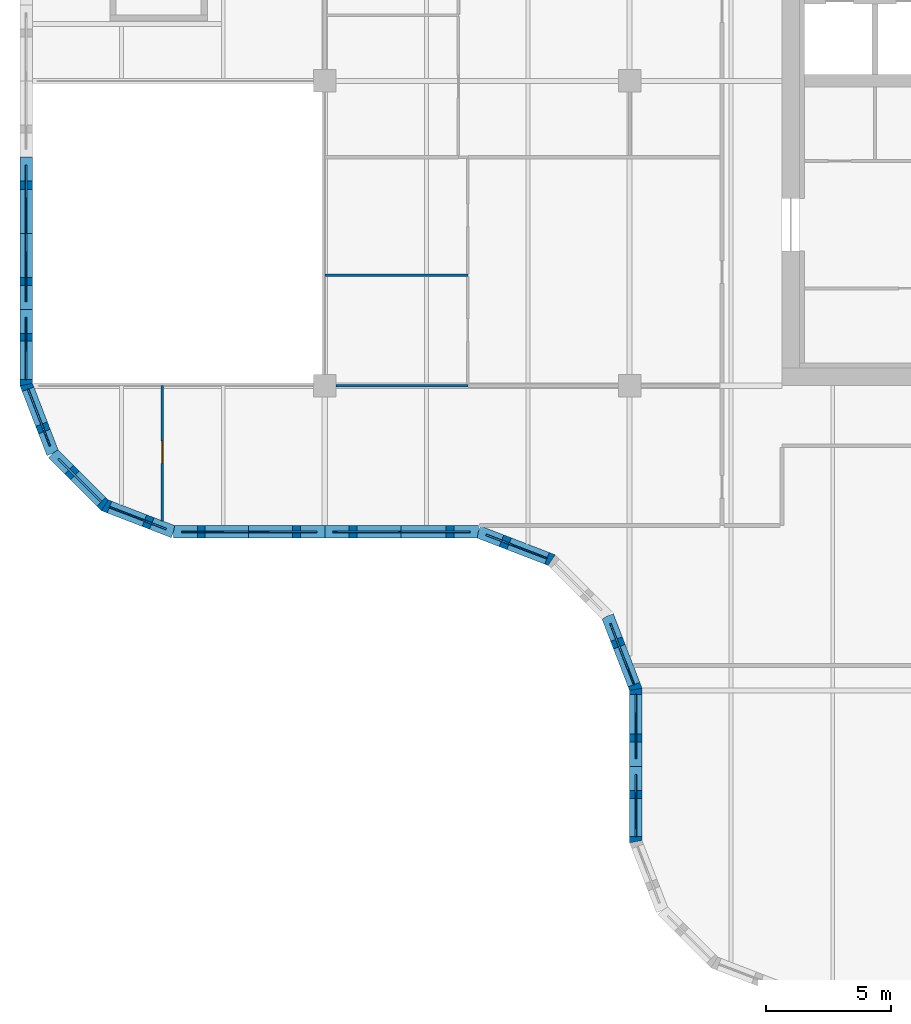
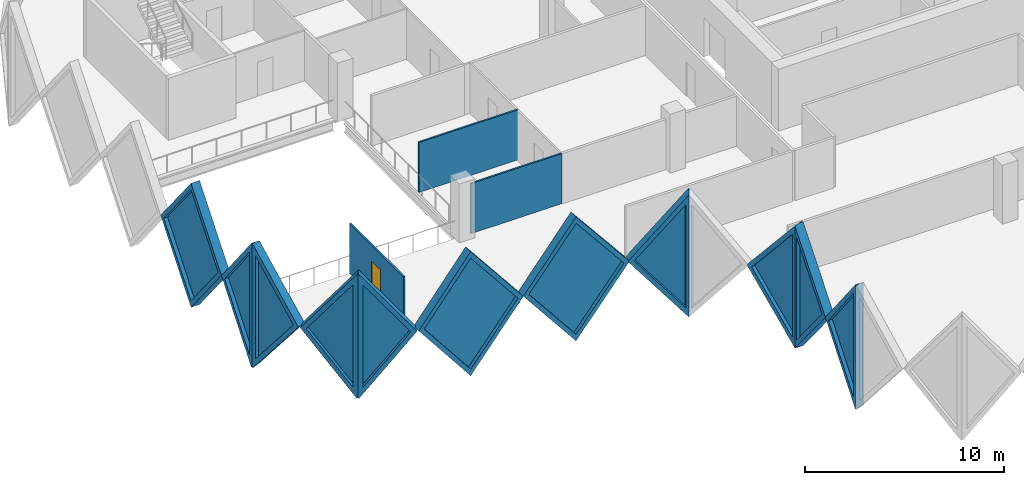
# One storey, part 3 of 13: 14 walls, 11 plates, 1 door, 12 openings.
"""IFC4 building model written with IfcOpenShell, lengths in metres."""

from ifc_helpers import new_model, si_unit, direction, frame, frame_2d, origin, place, context, subcontext, project, spatial, polyline, rectangle, outline, extrude, faceted_brep, source, transform, mapped, material, layer, layer_set, type_object, element, fill, save


model = new_model("IFC4")

# Units and contexts
model_context = context("Model", 3, precision=1e-05, world=origin(), true_north=direction((0.0, 1.0)))
body_context = subcontext(model_context, "Body", "Model", "MODEL_VIEW")
ifc_project = project(units=[si_unit("LENGTHUNIT", "METRE"), si_unit("AREAUNIT", "SQUARE_METRE"), si_unit("VOLUMEUNIT", "CUBIC_METRE"), si_unit("PLANEANGLEUNIT", "RADIAN"), si_unit("MASSUNIT", "GRAM", prefix="KILO")], contexts=[model_context])

# Site, building, storey
site_placement = place(None, origin())
site = spatial("IfcSite", under=ifc_project, at=site_placement, CompositionType="ELEMENT")
building_placement = place(site_placement, origin())
building = spatial("IfcBuilding", under=site, at=building_placement, Name="Tessera Gate Towers", CompositionType="ELEMENT")
storey_placement = place(building_placement, frame((0.0, 0.0, 131.60009765625)))
storey = spatial("IfcBuildingStorey", under=building, at=storey_placement, Name="L32", CompositionType="ELEMENT", Elevation=131.60009765625)

# Wall, opening, door
ifc_material_1 = material(Name="Glass", Category="glass")
ifc_layer_1 = layer(ifc_material_1, 0.10009765625)
ifc_layer_set_1 = layer_set([ifc_layer_1], Name="GLAZED PARTITION 100")
wall_type_1 = type_object("IfcWallType", Name="GLAZED PARTITION 100", PredefinedType="PARTITIONING", material=ifc_layer_set_1)
wall_1_placement = place(storey_placement, frame((5.699951171875, 18.990234375, 0.0), z_axis=(0.0, 0.0, 1.0), x_axis=(0.0, 1.0, 0.0)))
wall_1 = element("IfcWall", 1, at=wall_1_placement, inside=storey, type_object=wall_type_1, Name="T1-L32-PW-016", PredefinedType="PARTITIONING", context=body_context, shape_type="SweptSolid", body=[
    extrude(rectangle(XDim=5.40966796875, YDim=0.10009765625, at=frame_2d((2.704833984375, 0.0))), origin(), (0.0, 0.0, 1.0), 3.06689453125),
])
shared_shape_1 = source(origin(), body_context, "Body", "SweptSolid", [
    extrude(rectangle(XDim=0.89990234375, YDim=2.10009765625, at=frame_2d((0.449951171875, 1.050048828125))), frame((0.0, 0.06005859375, 0.0), z_axis=(0.0, -1.0, 0.0), x_axis=(1.0, 0.0, 0.0)), (0.0, 0.0, 1.0), 0.1201171875),
])
opening_1_placement = place(wall_1_placement, frame((2.300048828125, 0.0, 0.0)))
opening_1 = element("IfcOpeningElement", 2, at=opening_1_placement, cuts=wall_1, Name="Opening D690-A11-03", PredefinedType="OPENING", context=body_context, shape_type="MappedRepresentation", body=[
    mapped(shared_shape_1, transform((0.0, 0.0, 0.0), scale=1.0)),
])
ifc_material_2 = material(Name="Glass in aluminium frame", Category="aluminium")
door_type = type_object("IfcDoorType", Name="GLAZED DOOR 900 NOT RATED", OperationType="NOTDEFINED", PredefinedType="DOOR", material=ifc_material_2)
shared_shape_2 = source(origin(), body_context, "Body", "SweptSolid", [
    extrude(rectangle(XDim=0.89990234375, YDim=2.10009765625, at=frame_2d((0.449951171875, 1.050048828125))), frame((0.0, 0.02490234375, 0.0), z_axis=(0.0, -1.0, 0.0), x_axis=(1.0, 0.0, 0.0)), (0.0, 0.0, 1.0), 0.050048828125),
])
door_placement = place(opening_1_placement, origin())
door = element("IfcDoor", 3, at=door_placement, inside=storey, type_object=door_type, Name="T1-L32-PD-006", OperationType="SINGLE_SWING_LEFT", OverallHeight=2.10009765625, OverallWidth=0.89990234375, PredefinedType="DOOR", context=body_context, shape_type="MappedRepresentation", body=[
    mapped(shared_shape_2, transform((0.0, 0.0, 0.0), scale=1.0)),
])
fill(opening_1, door)

# Walls
wall_2_placement = place(storey_placement, frame((12.65087890625, 24.39990234375, 0.0), z_axis=(0.0, 0.0, 1.0), x_axis=(1.0, 0.0, 0.0)))
element("IfcWall", 4, at=wall_2_placement, inside=storey, type_object=wall_type_1, Name="T1-L32-PW-021", PredefinedType="PARTITIONING", context=body_context, shape_type="SweptSolid", body=[
    extrude(rectangle(XDim=5.273193359375, YDim=0.10009765625, at=frame_2d((2.63671875, 0.0))), origin(), (0.0, 0.0, 1.0), 3.06689453125),
])
ifc_material_3 = material(Name="Gypsum board on steel studs", Category="steel")
ifc_layer_2 = layer(ifc_material_3, 0.10009765625)
ifc_layer_set_2 = layer_set([ifc_layer_2], Name="PARTITION 100")
wall_type_2 = type_object("IfcWallType", Name="PARTITION 100", PredefinedType="PARTITIONING", material=ifc_layer_set_2)
wall_3_placement = place(storey_placement, frame((12.199951171875, 28.820068359375, 0.0), z_axis=(0.0, 0.0, 1.0), x_axis=(1.0, 0.0, 0.0)))
element("IfcWall", 5, at=wall_3_placement, inside=storey, type_object=wall_type_2, Name="T1-L32-PW-025", PredefinedType="PARTITIONING", context=body_context, shape_type="SweptSolid", body=[
    extrude(rectangle(XDim=5.72509765625, YDim=0.10009765625, at=frame_2d((2.862548828125, 0.0))), origin(), (0.0, 0.0, 1.0), 3.06689453125),
])

# Wall, opening, plate
ifc_material_4 = material(Name="Precast concrete C60/75 white", Category="concrete")
ifc_layer_3 = layer(ifc_material_4, 0.5)
ifc_layer_set_3 = layer_set([ifc_layer_3], Name="TS1 tessera")
wall_type_3 = type_object("IfcWallType", Name="TS1 tessera", PredefinedType="SOLIDWALL", material=ifc_layer_set_3)
shared_shape_3 = source(origin(), body_context, "Body", "Brep", [
    faceted_brep([(3.00341796875, -0.25, 0.0), (6.053466796875, -0.25, 3.800048828125), (3.00341796875, -0.25, 7.599853515625), (0.0, -0.25, 3.800048828125), (0.046630859375, 0.25, 3.85888671875), (3.00341796875, 0.25, 7.599853515625), (6.053466796875, 0.25, 3.800048828125), (3.00341796875, 0.25, 0.0), (0.046630859375, 0.25, 3.7412109375), (0.0, 0.0, 3.800048828125)], [[[0, 1, 2, 3]], [[4, 5, 6, 7, 8]], [[7, 6, 1, 0]], [[6, 5, 2, 1]], [[5, 4, 9, 3, 2]], [[8, 7, 0, 3, 9]], [[8, 9, 4]]]),
])
wall_4_placement = place(storey_placement, frame((6.146484375, 18.550048828125, -3.800048828125), z_axis=(0.0, 0.0, 1.0), x_axis=(1.0, 0.0, 0.0)))
wall_4 = element("IfcWall", 6, at=wall_4_placement, inside=storey, type_object=wall_type_3, Name="Precast tessera T1 TS1-0550", PredefinedType="SOLIDWALL", context=body_context, shape_type="MappedRepresentation", body=[
    mapped(shared_shape_3, transform((0.0, 0.0, 0.0), scale=1.0)),
])
shared_shape_4 = source(origin(), body_context, "Body", "SweptSolid", [
    extrude(outline(polyline([(3.0048828125, 0.401123046875), (5.73291015625, 3.800048828125), (3.0048828125, 7.19873046875), (0.318603515625, 3.800048828125), (3.0048828125, 0.401123046875)])), frame((0.0, 0.260009765625, 0.0), z_axis=(0.0, -1.0, 0.0), x_axis=(1.0, 0.0, 0.0)), (0.0, 0.0, 1.0), 0.52001953125),
])
opening_2_placement = place(wall_4_placement, origin())
opening_2 = element("IfcOpeningElement", 7, at=opening_2_placement, cuts=wall_4, Name="Opening T1-PL2-1118", PredefinedType="OPENING", context=body_context, shape_type="MappedRepresentation", body=[
    mapped(shared_shape_4, transform((0.0, 0.0, 0.0), scale=1.0)),
])
ifc_material_5 = material(Name="Low-e laminated glass", Category="glass")
ifc_layer_4 = layer(ifc_material_5, 0.06005859375)
ifc_layer_set_4 = layer_set([ifc_layer_4], Name="PL2 rhombic pane")
plate_type = type_object("IfcPlateType", Name="PL2 rhombic pane", PredefinedType="SHEET", material=ifc_layer_set_4)
shared_shape_5 = source(origin(), body_context, "Body", "SweptSolid", [
    extrude(outline(polyline([(3.0048828125, 0.401123046875), (5.73291015625, 3.800048828125), (3.0048828125, 7.19873046875), (0.318603515625, 3.800048828125), (3.0048828125, 0.401123046875)])), frame((0.0, 0.030029296875, 0.0), z_axis=(0.0, -1.0, 0.0), x_axis=(1.0, 0.0, 0.0)), (0.0, 0.0, 1.0), 0.06005859375),
])
plate_1_placement = place(opening_2_placement, origin())
plate_1 = element("IfcPlate", 8, at=plate_1_placement, inside=storey, type_object=plate_type, Name="Glass pane T1 PL2-1118", PredefinedType="SHEET", context=body_context, shape_type="MappedRepresentation", body=[
    mapped(shared_shape_5, transform((0.0, 0.0, 0.0), scale=1.0)),
])
fill(opening_2, plate_1)

shared_shape_6 = source(origin(), body_context, "Body", "SweptSolid", [
    extrude(outline(polyline([(3.050048828125, 0.0), (6.10009765625, 3.800048828125), (3.050048828125, 7.599853515625), (0.0, 3.800048828125), (3.050048828125, 0.0)])), frame((0.0, 0.25, 0.0), z_axis=(0.0, -1.0, 0.0), x_axis=(1.0, 0.0, 0.0)), (0.0, 0.0, 1.0), 0.5),
])
wall_5_placement = place(storey_placement, frame((0.25, 33.550048828125, -3.800048828125), z_axis=(0.0, 0.0, 1.0), x_axis=(0.0, -1.0, 0.0)))
wall_5 = element("IfcWall", 9, at=wall_5_placement, inside=storey, type_object=wall_type_3, Name="Precast tessera T1 TS1-0549", PredefinedType="SOLIDWALL", context=body_context, shape_type="MappedRepresentation", body=[
    mapped(shared_shape_6, transform((0.0, 0.0, 0.0), scale=1.0)),
])
shared_shape_7 = source(origin(), body_context, "Body", "SweptSolid", [
    extrude(outline(polyline([(3.050048828125, 0.3994140625), (5.779541015625, 3.800048828125), (3.050048828125, 7.200439453125), (0.320556640625, 3.800048828125), (3.050048828125, 0.3994140625)])), frame((0.0, 0.260009765625, 0.0), z_axis=(0.0, -1.0, 0.0), x_axis=(1.0, 0.0, 0.0)), (0.0, 0.0, 1.0), 0.52001953125),
])
opening_3_placement = place(wall_5_placement, origin())
opening_3 = element("IfcOpeningElement", 10, at=opening_3_placement, cuts=wall_5, Name="Opening T1-PL2-1113", PredefinedType="OPENING", context=body_context, shape_type="MappedRepresentation", body=[
    mapped(shared_shape_7, transform((0.0, 0.0, 0.0), scale=1.0)),
])
shared_shape_8 = source(origin(), body_context, "Body", "SweptSolid", [
    extrude(outline(polyline([(3.050048828125, 0.3994140625), (5.779541015625, 3.800048828125), (3.050048828125, 7.200439453125), (0.320556640625, 3.800048828125), (3.050048828125, 0.3994140625)])), frame((0.0, 0.030029296875, 0.0), z_axis=(0.0, -1.0, 0.0), x_axis=(1.0, 0.0, 0.0)), (0.0, 0.0, 1.0), 0.06005859375),
])
plate_2_placement = place(opening_3_placement, origin())
plate_2 = element("IfcPlate", 11, at=plate_2_placement, inside=storey, type_object=plate_type, Name="Glass pane T1 PL2-1113", PredefinedType="SHEET", context=body_context, shape_type="MappedRepresentation", body=[
    mapped(shared_shape_8, transform((0.0, 0.0, 0.0), scale=1.0)),
])
fill(opening_3, plate_2)

ifc_material_6 = material(Name="Precast concrete C60/75 white", Category="concrete")
ifc_layer_5 = layer(ifc_material_6, 0.5)
ifc_layer_set_5 = layer_set([ifc_layer_5], Name="TS3 corner tessera")
wall_type_4 = type_object("IfcWallType", Name="TS3 corner tessera", PredefinedType="SOLIDWALL", material=ifc_layer_set_5)
shared_shape_9 = source(origin(), body_context, "Body", "Brep", [
    faceted_brep([(3.00341796875, -0.25, 0.0), (3.050048828125, -0.25, 0.06005859375), (3.050048828125, -0.25, 7.539794921875), (3.00341796875, -0.25, 7.599853515625), (0.0, -0.25, 3.800048828125), (0.0, 0.25, 3.800048828125), (2.956787109375, 0.25, 7.541015625), (2.956787109375, 0.25, 0.058837890625), (3.00341796875, 0.000244140625, 0.0), (3.00341796875, 0.000244140625, 7.599853515625)], [[[0, 1, 2, 3, 4]], [[5, 6, 7]], [[1, 0, 8]], [[9, 3, 2]], [[6, 5, 4, 3, 9]], [[5, 7, 8, 0, 4]], [[1, 8, 7, 6, 9, 2]]]),
])
wall_6_placement = place(storey_placement, frame((0.25, 27.449951171875, -3.800048828125), z_axis=(0.0, 0.0, 1.0), x_axis=(0.0, -1.0, 0.0)))
wall_6 = element("IfcWall", 12, at=wall_6_placement, inside=storey, type_object=wall_type_4, Name="Precast corner tessera T1 TS3-0733", PredefinedType="SOLIDWALL", context=body_context, shape_type="MappedRepresentation", body=[
    mapped(shared_shape_9, transform((0.0, 0.0, 0.0), scale=1.0)),
])
shared_shape_10 = source(origin(), body_context, "Body", "SweptSolid", [
    extrude(outline(polyline([(2.803466796875, 6.94384765625), (0.318603515625, 3.800048828125), (2.803466796875, 0.65625), (2.803466796875, 6.94384765625)])), frame((0.0, 0.260009765625, 0.0), z_axis=(0.0, -1.0, 0.0), x_axis=(1.0, 0.0, 0.0)), (0.0, 0.0, 1.0), 0.52001953125),
])
opening_4_placement = place(wall_6_placement, origin())
opening_4 = element("IfcOpeningElement", 13, at=opening_4_placement, cuts=wall_6, Name="Opening T1-PL2-1114", PredefinedType="OPENING", context=body_context, shape_type="MappedRepresentation", body=[
    mapped(shared_shape_10, transform((0.0, 0.0, 0.0), scale=1.0)),
])
shared_shape_11 = source(origin(), body_context, "Body", "SweptSolid", [
    extrude(outline(polyline([(2.803466796875, 6.94384765625), (0.318603515625, 3.800048828125), (2.803466796875, 0.65625), (2.803466796875, 6.94384765625)])), frame((0.0, 0.030029296875, 0.0), z_axis=(0.0, -1.0, 0.0), x_axis=(1.0, 0.0, 0.0)), (0.0, 0.0, 1.0), 0.06005859375),
])
plate_3_placement = place(opening_4_placement, origin())
plate_3 = element("IfcPlate", 14, at=plate_3_placement, inside=storey, type_object=plate_type, Name="Glass pane T1 PL2-1114", PredefinedType="SHEET", context=body_context, shape_type="MappedRepresentation", body=[
    mapped(shared_shape_11, transform((0.0, 0.0, 0.0), scale=1.0)),
])
fill(opening_4, plate_3)

wall_7_placement = place(storey_placement, frame((24.64990234375, 9.14990234375, -3.800048828125), z_axis=(0.0, 0.0, 1.0), x_axis=(0.0, -1.0, 0.0)))
wall_7 = element("IfcWall", 15, at=wall_7_placement, inside=storey, type_object=wall_type_4, Name="Precast corner tessera T1 TS3-0741", PredefinedType="SOLIDWALL", context=body_context, shape_type="MappedRepresentation", body=[
    mapped(shared_shape_9, transform((0.0, 0.0, 0.0), scale=1.0)),
])
opening_5_placement = place(wall_7_placement, origin())
opening_5 = element("IfcOpeningElement", 16, at=opening_5_placement, cuts=wall_7, Name="Opening T1-PL2-1124", PredefinedType="OPENING", context=body_context, shape_type="MappedRepresentation", body=[
    mapped(shared_shape_10, transform((0.0, 0.0, 0.0), scale=1.0)),
])
plate_4_placement = place(opening_5_placement, origin())
plate_4 = element("IfcPlate", 17, at=plate_4_placement, inside=storey, type_object=plate_type, Name="Glass pane T1 PL2-1124", PredefinedType="SHEET", context=body_context, shape_type="MappedRepresentation", body=[
    mapped(shared_shape_11, transform((0.0, 0.0, 0.0), scale=1.0)),
])
fill(opening_5, plate_4)

shared_shape_12 = source(origin(), body_context, "Body", "Brep", [
    faceted_brep([(0.046630859375, -0.25, 0.0), (2.9970703125, -0.25, 3.800048828125), (0.046630859375, -0.25, 7.599853515625), (0.0, -0.25, 7.541015625), (0.0, -0.25, 0.058837890625), (0.09326171875, 0.25, 7.539794921875), (2.9443359375, 0.25, 3.8681640625), (2.9443359375, 0.25, 3.73193359375), (0.09326171875, 0.25, 0.06005859375), (2.9970703125, 0.00048828125, 3.800048828125), (0.046630859375, 0.0, 0.0), (0.046630859375, 0.0, 7.599853515625)], [[[0, 1, 2, 3, 4]], [[5, 6, 7, 8]], [[8, 7, 9, 1, 0, 10]], [[6, 5, 11, 2, 1, 9]], [[3, 2, 11]], [[10, 0, 4]], [[8, 10, 4, 3, 11, 5]], [[7, 6, 9]]]),
])
wall_8_placement = place(storey_placement, frame((0.233154296875, 24.489990234375, -3.800048828125), z_axis=(0.0, 0.0, 1.0), x_axis=(0.359901446078, -0.932990326376, 0.0)))
wall_8 = element("IfcWall", 18, at=wall_8_placement, inside=storey, type_object=wall_type_4, Name="Precast corner tessera T1 TS3-0734", PredefinedType="SOLIDWALL", context=body_context, shape_type="MappedRepresentation", body=[
    mapped(shared_shape_12, transform((0.0, 0.0, 0.0), scale=1.0)),
])
shared_shape_13 = source(origin(), body_context, "Body", "SweptSolid", [
    extrude(outline(polyline([(0.24658203125, 0.665283203125), (2.6806640625, 3.800048828125), (0.24658203125, 6.934814453125), (0.24658203125, 0.665283203125)])), frame((0.0, 0.260009765625, 0.0), z_axis=(0.0, -1.0, 0.0), x_axis=(1.0, 0.0, 0.0)), (0.0, 0.0, 1.0), 0.52001953125),
])
opening_6_placement = place(wall_8_placement, origin())
opening_6 = element("IfcOpeningElement", 19, at=opening_6_placement, cuts=wall_8, Name="Opening T1-PL2-1115", PredefinedType="OPENING", context=body_context, shape_type="MappedRepresentation", body=[
    mapped(shared_shape_13, transform((0.0, 0.0, 0.0), scale=1.0)),
])
shared_shape_14 = source(origin(), body_context, "Body", "SweptSolid", [
    extrude(outline(polyline([(0.24658203125, 0.665283203125), (2.6806640625, 3.800048828125), (0.24658203125, 6.934814453125), (0.24658203125, 0.665283203125)])), frame((0.0, 0.030029296875, 0.0), z_axis=(0.0, -1.0, 0.0), x_axis=(1.0, 0.0, 0.0)), (0.0, 0.0, 1.0), 0.06005859375),
])
plate_5_placement = place(opening_6_placement, origin())
plate_5 = element("IfcPlate", 20, at=plate_5_placement, inside=storey, type_object=plate_type, Name="Glass pane T1 PL2-1115", PredefinedType="SHEET", context=body_context, shape_type="MappedRepresentation", body=[
    mapped(shared_shape_14, transform((0.0, 0.0, 0.0), scale=1.0)),
])
fill(opening_6, plate_5)

shared_shape_15 = source(origin(), body_context, "Body", "Brep", [
    faceted_brep([(0.052978515625, -0.25, 0.0), (3.00341796875, -0.25, 3.800048828125), (0.052978515625, -0.25, 7.599853515625), (0.0, -0.25, 7.531494140625), (0.0, -0.25, 0.068359375), (0.10595703125, 0.25, 7.53173828125), (2.95703125, 0.25, 3.85986328125), (2.95703125, 0.25, 3.740234375), (0.10595703125, 0.25, 0.068115234375), (3.00341796875, 0.00048828125, 3.800048828125), (0.052978515625, 0.0, 0.0), (0.052978515625, 0.0, 7.599853515625)], [[[0, 1, 2, 3, 4]], [[5, 6, 7, 8]], [[8, 7, 9, 1, 0, 10]], [[6, 5, 11, 2, 1, 9]], [[3, 2, 11]], [[10, 0, 4]], [[8, 10, 4, 3, 11, 5]], [[7, 6, 9]]]),
])
wall_9_placement = place(storey_placement, frame((3.34423828125, 19.630859375, -3.800048828125), z_axis=(0.0, 0.0, 1.0), x_axis=(0.933007896601, -0.359855894603, 0.0)))
wall_9 = element("IfcWall", 21, at=wall_9_placement, inside=storey, type_object=wall_type_4, Name="Precast corner tessera T1 TS3-0736", PredefinedType="SOLIDWALL", context=body_context, shape_type="MappedRepresentation", body=[
    mapped(shared_shape_15, transform((0.0, 0.0, 0.0), scale=1.0)),
])
shared_shape_16 = source(origin(), body_context, "Body", "SweptSolid", [
    extrude(outline(polyline([(0.2529296875, 0.665283203125), (2.68701171875, 3.800048828125), (0.2529296875, 6.934814453125), (0.2529296875, 0.665283203125)])), frame((0.0, 0.260009765625, 0.0), z_axis=(0.0, -1.0, 0.0), x_axis=(1.0, 0.0, 0.0)), (0.0, 0.0, 1.0), 0.52001953125),
])
opening_7_placement = place(wall_9_placement, origin())
opening_7 = element("IfcOpeningElement", 22, at=opening_7_placement, cuts=wall_9, Name="Opening T1-PL2-1117", PredefinedType="OPENING", context=body_context, shape_type="MappedRepresentation", body=[
    mapped(shared_shape_16, transform((0.0, 0.0, 0.0), scale=1.0)),
])
shared_shape_17 = source(origin(), body_context, "Body", "SweptSolid", [
    extrude(outline(polyline([(0.2529296875, 0.665283203125), (2.68701171875, 3.800048828125), (0.2529296875, 6.934814453125), (0.2529296875, 0.665283203125)])), frame((0.0, 0.030029296875, 0.0), z_axis=(0.0, -1.0, 0.0), x_axis=(1.0, 0.0, 0.0)), (0.0, 0.0, 1.0), 0.06005859375),
])
plate_6_placement = place(opening_7_placement, origin())
plate_6 = element("IfcPlate", 23, at=plate_6_placement, inside=storey, type_object=plate_type, Name="Glass pane T1 PL2-1117", PredefinedType="SHEET", context=body_context, shape_type="MappedRepresentation", body=[
    mapped(shared_shape_17, transform((0.0, 0.0, 0.0), scale=1.0)),
])
fill(opening_7, plate_6)

shared_shape_18 = source(origin(), body_context, "Body", "Brep", [
    faceted_brep([(2.944091796875, -0.25, 0.0), (2.9970703125, -0.25, 0.068115234375), (2.9970703125, -0.25, 7.53173828125), (2.944091796875, -0.25, 7.599853515625), (0.0, -0.25, 3.800048828125), (0.052978515625, 0.25, 3.868408203125), (2.89111328125, 0.25, 7.53173828125), (2.89111328125, 0.25, 0.068115234375), (0.052978515625, 0.25, 3.731689453125), (2.944091796875, 0.000244140625, 0.0), (2.944091796875, 0.000244140625, 7.599853515625), (0.0, 0.0, 3.800048828125)], [[[0, 1, 2, 3, 4]], [[5, 6, 7, 8]], [[1, 0, 9]], [[10, 3, 2]], [[6, 5, 11, 4, 3, 10]], [[8, 7, 9, 0, 4, 11]], [[8, 11, 5]], [[1, 9, 7, 6, 10, 2]]]),
])
wall_10_placement = place(storey_placement, frame((1.31201171875, 21.69384765625, -3.800048828125), z_axis=(0.0, 0.0, 1.0), x_axis=(0.707066050402, -0.707147509625, 0.0)))
wall_10 = element("IfcWall", 24, at=wall_10_placement, inside=storey, type_object=wall_type_4, Name="Precast corner tessera T1 TS3-0735", PredefinedType="SOLIDWALL", context=body_context, shape_type="MappedRepresentation", body=[
    mapped(shared_shape_18, transform((0.0, 0.0, 0.0), scale=1.0)),
])
shared_shape_19 = source(origin(), body_context, "Body", "SweptSolid", [
    extrude(outline(polyline([(2.744140625, 6.93359375), (0.316162109375, 3.800048828125), (2.744140625, 0.666259765625), (2.744140625, 6.93359375)])), frame((0.0, 0.260009765625, 0.0), z_axis=(0.0, -1.0, 0.0), x_axis=(1.0, 0.0, 0.0)), (0.0, 0.0, 1.0), 0.52001953125),
])
opening_8_placement = place(wall_10_placement, origin())
opening_8 = element("IfcOpeningElement", 25, at=opening_8_placement, cuts=wall_10, Name="Opening T1-PL2-1116", PredefinedType="OPENING", context=body_context, shape_type="MappedRepresentation", body=[
    mapped(shared_shape_19, transform((0.0, 0.0, 0.0), scale=1.0)),
])
shared_shape_20 = source(origin(), body_context, "Body", "SweptSolid", [
    extrude(outline(polyline([(2.744140625, 6.93359375), (0.316162109375, 3.800048828125), (2.744140625, 0.666259765625), (2.744140625, 6.93359375)])), frame((0.0, 0.030029296875, 0.0), z_axis=(0.0, -1.0, 0.0), x_axis=(1.0, 0.0, 0.0)), (0.0, 0.0, 1.0), 0.06005859375),
])
plate_7_placement = place(opening_8_placement, origin())
plate_7 = element("IfcPlate", 26, at=plate_7_placement, inside=storey, type_object=plate_type, Name="Glass pane T1 PL2-1116", PredefinedType="SHEET", context=body_context, shape_type="MappedRepresentation", body=[
    mapped(shared_shape_20, transform((0.0, 0.0, 0.0), scale=1.0)),
])
fill(opening_8, plate_7)

shared_shape_21 = source(origin(), body_context, "Body", "Brep", [
    faceted_brep([(3.050048828125, -0.25, 0.0), (6.10009765625, -0.25, 3.742919921875), (6.10009765625, -0.25, 3.857177734375), (3.050048828125, -0.25, 7.599853515625), (0.0, -0.25, 3.800048828125), (0.0, 0.25, 3.800048828125), (3.050048828125, 0.25, 7.599853515625), (6.146484375, 0.25, 3.800048828125), (3.050048828125, 0.25, 0.0), (6.146484375, -0.000244140625, 3.800048828125)], [[[0, 1, 2, 3, 4]], [[5, 6, 7, 8]], [[8, 7, 9, 1, 0]], [[7, 6, 3, 2, 9]], [[6, 5, 4, 3]], [[5, 8, 0, 4]], [[1, 9, 2]]]),
])
wall_11_placement = place(storey_placement, frame((12.199951171875, 18.550048828125, -3.800048828125), z_axis=(0.0, 0.0, 1.0), x_axis=(1.0, 0.0, 0.0)))
wall_11 = element("IfcWall", 27, at=wall_11_placement, inside=storey, type_object=wall_type_3, Name="Precast tessera T1 TS1-0551", PredefinedType="SOLIDWALL", context=body_context, shape_type="MappedRepresentation", body=[
    mapped(shared_shape_21, transform((0.0, 0.0, 0.0), scale=1.0)),
])
shared_shape_22 = source(origin(), body_context, "Body", "SweptSolid", [
    extrude(outline(polyline([(3.051513671875, 0.3974609375), (5.823974609375, 3.800048828125), (3.051513671875, 7.202392578125), (0.320556640625, 3.800048828125), (3.051513671875, 0.3974609375)])), frame((0.0, 0.260009765625, 0.0), z_axis=(0.0, -1.0, 0.0), x_axis=(1.0, 0.0, 0.0)), (0.0, 0.0, 1.0), 0.52001953125),
])
opening_9_placement = place(wall_11_placement, origin())
opening_9 = element("IfcOpeningElement", 28, at=opening_9_placement, cuts=wall_11, Name="Opening T1-PL2-1119", PredefinedType="OPENING", context=body_context, shape_type="MappedRepresentation", body=[
    mapped(shared_shape_22, transform((0.0, 0.0, 0.0), scale=1.0)),
])
shared_shape_23 = source(origin(), body_context, "Body", "SweptSolid", [
    extrude(outline(polyline([(3.051513671875, 0.3974609375), (5.823974609375, 3.800048828125), (3.051513671875, 7.202392578125), (0.320556640625, 3.800048828125), (3.051513671875, 0.3974609375)])), frame((0.0, 0.030029296875, 0.0), z_axis=(0.0, -1.0, 0.0), x_axis=(1.0, 0.0, 0.0)), (0.0, 0.0, 1.0), 0.06005859375),
])
plate_8_placement = place(opening_9_placement, origin())
plate_8 = element("IfcPlate", 29, at=plate_8_placement, inside=storey, type_object=plate_type, Name="Glass pane T1 PL2-1119", PredefinedType="SHEET", context=body_context, shape_type="MappedRepresentation", body=[
    mapped(shared_shape_23, transform((0.0, 0.0, 0.0), scale=1.0)),
])
fill(opening_9, plate_8)

shared_shape_24 = source(origin(), body_context, "Body", "Brep", [
    faceted_brep([(3.096435546875, -0.25, 7.5361328125), (0.046630859375, -0.25, 3.856201171875), (0.046630859375, -0.25, 3.743896484375), (3.096435546875, -0.25, 0.063720703125), (0.0, 0.25, 3.800048828125), (3.1494140625, 0.25, 7.599853515625), (3.202392578125, 0.25, 7.5361328125), (3.202392578125, 0.25, 0.063720703125), (3.1494140625, 0.25, 0.0), (3.1494140625, -0.000244140625, 0.0), (3.1494140625, -0.000244140625, 7.599853515625), (0.0, 0.0, 3.800048828125)], [[[0, 1, 2, 3]], [[4, 5, 6, 7, 8]], [[8, 7, 9]], [[6, 5, 10]], [[5, 4, 11, 1, 0, 10]], [[4, 8, 9, 3, 2, 11]], [[2, 1, 11]], [[3, 9, 7, 6, 10, 0]]]),
])
wall_12_placement = place(storey_placement, frame((18.346435546875, 18.550048828125, -3.800048828125), z_axis=(0.0, 0.0, 1.0), x_axis=(0.932985567668, -0.359913782069, 0.0)))
wall_12 = element("IfcWall", 30, at=wall_12_placement, inside=storey, type_object=wall_type_4, Name="Precast corner tessera T1 TS3-0737", PredefinedType="SOLIDWALL", context=body_context, shape_type="MappedRepresentation", body=[
    mapped(shared_shape_24, transform((0.0, 0.0, 0.0), scale=1.0)),
])
shared_shape_25 = source(origin(), body_context, "Body", "SweptSolid", [
    extrude(outline(polyline([(2.949462890625, 6.966796875), (0.32470703125, 3.800048828125), (2.949462890625, 0.633056640625), (2.949462890625, 6.966796875)])), frame((0.0, 0.260009765625, 0.0), z_axis=(0.0, -1.0, 0.0), x_axis=(1.0, 0.0, 0.0)), (0.0, 0.0, 1.0), 0.52001953125),
])
opening_10_placement = place(wall_12_placement, origin())
opening_10 = element("IfcOpeningElement", 31, at=opening_10_placement, cuts=wall_12, Name="Opening T1-PL2-1120", PredefinedType="OPENING", context=body_context, shape_type="MappedRepresentation", body=[
    mapped(shared_shape_25, transform((0.0, 0.0, 0.0), scale=1.0)),
])
shared_shape_26 = source(origin(), body_context, "Body", "SweptSolid", [
    extrude(outline(polyline([(2.949462890625, 6.966796875), (0.32470703125, 3.800048828125), (2.949462890625, 0.633056640625), (2.949462890625, 6.966796875)])), frame((0.0, 0.030029296875, 0.0), z_axis=(0.0, -1.0, 0.0), x_axis=(1.0, 0.0, 0.0)), (0.0, 0.0, 1.0), 0.06005859375),
])
plate_9_placement = place(opening_10_placement, origin())
plate_9 = element("IfcPlate", 32, at=plate_9_placement, inside=storey, type_object=plate_type, Name="Glass pane T1 PL2-1120", PredefinedType="SHEET", context=body_context, shape_type="MappedRepresentation", body=[
    mapped(shared_shape_26, transform((0.0, 0.0, 0.0), scale=1.0)),
])
fill(opening_10, plate_9)

shared_shape_27 = source(origin(), body_context, "Body", "Brep", [
    faceted_brep([(3.10302734375, -0.25, 7.543701171875), (0.052978515625, -0.25, 3.864013671875), (0.052978515625, -0.25, 3.736083984375), (3.10302734375, -0.25, 0.05615234375), (0.0, 0.25, 3.800048828125), (3.1494140625, 0.25, 7.599853515625), (3.196044921875, 0.25, 7.542724609375), (3.196044921875, 0.25, 0.05712890625), (3.1494140625, 0.25, 0.0), (3.1494140625, -0.000244140625, 0.0), (3.1494140625, -0.000244140625, 7.599853515625), (0.0, 0.0, 3.800048828125)], [[[0, 1, 2, 3]], [[4, 5, 6, 7, 8]], [[8, 7, 9]], [[6, 5, 10]], [[5, 4, 11, 1, 0, 10]], [[4, 8, 9, 3, 2, 11]], [[2, 1, 11]], [[3, 9, 7, 6, 10, 0]]]),
])
wall_13_placement = place(storey_placement, frame((23.5166015625, 15.18505859375, -3.800048828125), z_axis=(0.0, 0.0, 1.0), x_axis=(0.359864468756, -0.933004589553, 0.0)))
wall_13 = element("IfcWall", 33, at=wall_13_placement, inside=storey, type_object=wall_type_4, Name="Precast corner tessera T1 TS3-0739", PredefinedType="SOLIDWALL", context=body_context, shape_type="MappedRepresentation", body=[
    mapped(shared_shape_27, transform((0.0, 0.0, 0.0), scale=1.0)),
])
opening_11_placement = place(wall_13_placement, origin())
opening_11 = element("IfcOpeningElement", 34, at=opening_11_placement, cuts=wall_13, Name="Opening T1-PL2-1122", PredefinedType="OPENING", context=body_context, shape_type="MappedRepresentation", body=[
    mapped(shared_shape_25, transform((0.0, 0.0, 0.0), scale=1.0)),
])
plate_10_placement = place(opening_11_placement, origin())
plate_10 = element("IfcPlate", 35, at=plate_10_placement, inside=storey, type_object=plate_type, Name="Glass pane T1 PL2-1122", PredefinedType="SHEET", context=body_context, shape_type="MappedRepresentation", body=[
    mapped(shared_shape_26, transform((0.0, 0.0, 0.0), scale=1.0)),
])
fill(opening_11, plate_10)

shared_shape_28 = source(origin(), body_context, "Body", "Brep", [
    faceted_brep([(0.09326171875, -0.25, 0.05712890625), (3.14306640625, -0.25, 3.800048828125), (0.09326171875, -0.25, 7.542724609375), (0.0, 0.25, 7.543701171875), (0.046630859375, 0.25, 7.599853515625), (3.14306640625, 0.25, 3.800048828125), (0.046630859375, 0.25, 0.0), (0.0, 0.25, 0.05615234375), (0.046630859375, 0.0, 0.0), (0.046630859375, 0.0, 7.599853515625)], [[[0, 1, 2]], [[3, 4, 5, 6, 7]], [[6, 5, 1, 0, 8]], [[5, 4, 9, 2, 1]], [[4, 3, 9]], [[7, 6, 8]], [[7, 8, 0, 2, 9, 3]]]),
])
wall_14_placement = place(storey_placement, frame((24.64990234375, 12.293212890625, -3.800048828125), z_axis=(0.0, 0.0, 1.0), x_axis=(0.0, -1.0, 0.0)))
wall_14 = element("IfcWall", 36, at=wall_14_placement, inside=storey, type_object=wall_type_4, Name="Precast corner tessera T1 TS3-0740", PredefinedType="SOLIDWALL", context=body_context, shape_type="MappedRepresentation", body=[
    mapped(shared_shape_28, transform((0.0, 0.0, 0.0), scale=1.0)),
])
shared_shape_29 = source(origin(), body_context, "Body", "SweptSolid", [
    extrude(outline(polyline([(0.24658203125, 0.64111328125), (2.82080078125, 3.800048828125), (0.24658203125, 6.958740234375), (0.24658203125, 0.64111328125)])), frame((0.0, 0.260009765625, 0.0), z_axis=(0.0, -1.0, 0.0), x_axis=(1.0, 0.0, 0.0)), (0.0, 0.0, 1.0), 0.52001953125),
])
opening_12_placement = place(wall_14_placement, origin())
opening_12 = element("IfcOpeningElement", 37, at=opening_12_placement, cuts=wall_14, Name="Opening T1-PL2-1123", PredefinedType="OPENING", context=body_context, shape_type="MappedRepresentation", body=[
    mapped(shared_shape_29, transform((0.0, 0.0, 0.0), scale=1.0)),
])
shared_shape_30 = source(origin(), body_context, "Body", "SweptSolid", [
    extrude(outline(polyline([(0.24658203125, 0.64111328125), (2.82080078125, 3.800048828125), (0.24658203125, 6.958740234375), (0.24658203125, 0.64111328125)])), frame((0.0, 0.030029296875, 0.0), z_axis=(0.0, -1.0, 0.0), x_axis=(1.0, 0.0, 0.0)), (0.0, 0.0, 1.0), 0.06005859375),
])
plate_11_placement = place(opening_12_placement, origin())
plate_11 = element("IfcPlate", 38, at=plate_11_placement, inside=storey, type_object=plate_type, Name="Glass pane T1 PL2-1123", PredefinedType="SHEET", context=body_context, shape_type="MappedRepresentation", body=[
    mapped(shared_shape_30, transform((0.0, 0.0, 0.0), scale=1.0)),
])
fill(opening_12, plate_11)

save(model, "model.ifc")
